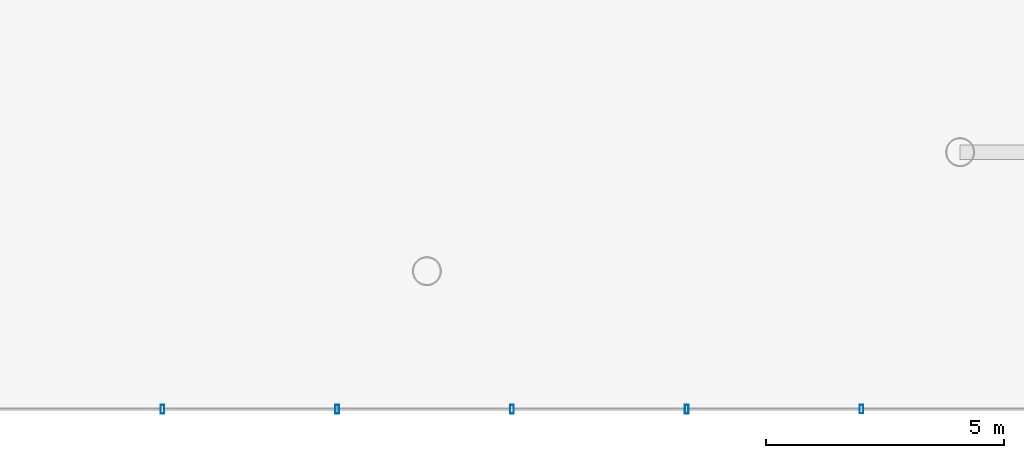
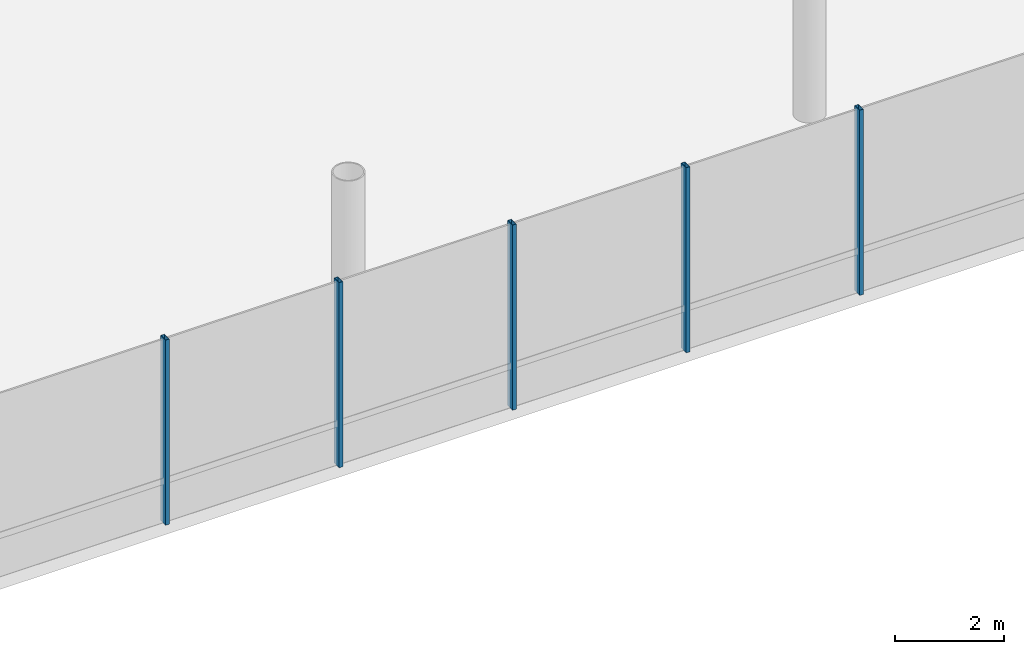
# One storey, part 15 of 37: 5 members, 1 element without a shape of its own.
"""IFC4 building model written with IfcOpenShell, lengths in metres."""

from ifc_helpers import new_model, si_unit, direction, frame, origin, origin_2d, place, context, subcontext, project, spatial, hollow_rectangle, extrude, material, layer, layer_set, material_profile, profile_set, type_object, element, aggregate, save


model = new_model("IFC4")

# Units and contexts
model_context = context("Model", 3, precision=1e-05, world=origin(), true_north=direction((0.0, 1.0)))
body_context = subcontext(model_context, "Body", "Model", "MODEL_VIEW")
ifc_project = project(units=[si_unit("LENGTHUNIT", "METRE"), si_unit("AREAUNIT", "SQUARE_METRE"), si_unit("VOLUMEUNIT", "CUBIC_METRE"), si_unit("PLANEANGLEUNIT", "RADIAN"), si_unit("MASSUNIT", "GRAM", prefix="KILO")], contexts=[model_context])

# Site, building, storey
site_placement = place(None, origin())
site = spatial("IfcSite", under=ifc_project, at=site_placement, CompositionType="ELEMENT")
building_placement = place(site_placement, origin())
building = spatial("IfcBuilding", under=site, at=building_placement, Name="Zarrinselat Tower", CompositionType="ELEMENT")
storey_placement = place(building_placement, frame((0.0, 0.0, 9.52001953125)))
storey = spatial("IfcBuildingStorey", under=building, at=storey_placement, Name="L02", CompositionType="ELEMENT", Elevation=9.52001953125)

# Curtain wall, members
ifc_material_1 = material(Name="Extruded Aluminium Alloy EN AW-6063 T6", Category="aluminium")
ifc_layer = layer(ifc_material_1, 0.2099609375)
ifc_layer_set = layer_set([ifc_layer], Name="Extruded Aluminium Alloy EN AW-6063 T6")
curtain_wall_type = type_object("IfcCurtainWallType", Name="CWS-POD", PredefinedType="NOTDEFINED", material=ifc_layer_set)
curtain_wall_placement = place(storey_placement, origin())
curtain_wall = element("IfcCurtainWall", 1, at=curtain_wall_placement, inside=storey, type_object=curtain_wall_type, Name="L02 Unitised Curtain Wall CW-L02-F1", PredefinedType="NOTDEFINED")
ifc_material_2 = material(Name="Extruded Aluminium Alloy EN AW-6063 T6", Category="aluminium")
ifc_material_profile = material_profile(ifc_material_2, hollow_rectangle(XDim=0.080078125, YDim=0.179931640625, WallThickness=0.0048828125, at=origin_2d()), Name="RHS 180x80x5")
ifc_profile_set = profile_set([ifc_material_profile], Name="Extruded Aluminium Alloy EN AW-6063 T6")
member_type = type_object("IfcMemberType", Name="MEM-CW-MUL", PredefinedType="MULLION", material=ifc_profile_set)
member_1_placement = place(storey_placement, frame((51.2470703125, 5.60009765625, 0.0), z_axis=(0.0, 0.0, 1.0), x_axis=(1.0, 0.0, 0.0)))
member_1 = element("IfcMember", 2, at=member_1_placement, type_object=member_type, Name="CW-L02-F1 Mullion 12", PredefinedType="MULLION", context=body_context, shape_type="SweptSolid", body=[
    extrude(hollow_rectangle(XDim=0.080078125, YDim=0.179931640625, WallThickness=0.0048828125, at=origin_2d()), origin(), (0.0, 0.0, 1.0), 4.139892578125),
])
member_2_placement = place(storey_placement, frame((54.91748046875, 5.60009765625, 0.0), z_axis=(0.0, 0.0, 1.0), x_axis=(1.0, 0.0, 0.0)))
member_2 = element("IfcMember", 3, at=member_2_placement, type_object=member_type, Name="CW-L02-F1 Mullion 13", PredefinedType="MULLION", context=body_context, shape_type="SweptSolid", body=[
    extrude(hollow_rectangle(XDim=0.080078125, YDim=0.179931640625, WallThickness=0.0048828125, at=origin_2d()), origin(), (0.0, 0.0, 1.0), 4.139892578125),
])
member_3_placement = place(storey_placement, frame((58.588134765625, 5.60009765625, 0.0), z_axis=(0.0, 0.0, 1.0), x_axis=(1.0, 0.0, 0.0)))
member_3 = element("IfcMember", 4, at=member_3_placement, type_object=member_type, Name="CW-L02-F1 Mullion 14", PredefinedType="MULLION", context=body_context, shape_type="SweptSolid", body=[
    extrude(hollow_rectangle(XDim=0.080078125, YDim=0.179931640625, WallThickness=0.0048828125, at=origin_2d()), origin(), (0.0, 0.0, 1.0), 4.139892578125),
])
member_4_placement = place(storey_placement, frame((62.2587890625, 5.60009765625, 0.0), z_axis=(0.0, 0.0, 1.0), x_axis=(1.0, 0.0, 0.0)))
member_4 = element("IfcMember", 5, at=member_4_placement, type_object=member_type, Name="CW-L02-F1 Mullion 15", PredefinedType="MULLION", context=body_context, shape_type="SweptSolid", body=[
    extrude(hollow_rectangle(XDim=0.080078125, YDim=0.179931640625, WallThickness=0.0048828125, at=origin_2d()), origin(), (0.0, 0.0, 1.0), 4.139892578125),
])
member_5_placement = place(storey_placement, frame((65.929443359375, 5.60009765625, 0.0), z_axis=(0.0, 0.0, 1.0), x_axis=(1.0, 0.0, 0.0)))
member_5 = element("IfcMember", 6, at=member_5_placement, type_object=member_type, Name="CW-L02-F1 Mullion 16", PredefinedType="MULLION", context=body_context, shape_type="SweptSolid", body=[
    extrude(hollow_rectangle(XDim=0.080078125, YDim=0.179931640625, WallThickness=0.0048828125, at=origin_2d()), origin(), (0.0, 0.0, 1.0), 4.139892578125),
])
aggregate(curtain_wall, [member_1, member_2, member_3, member_4, member_5])

save(model, "model.ifc")
